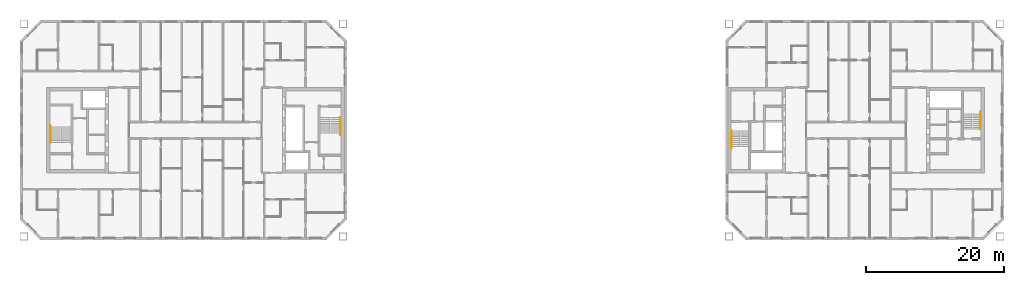
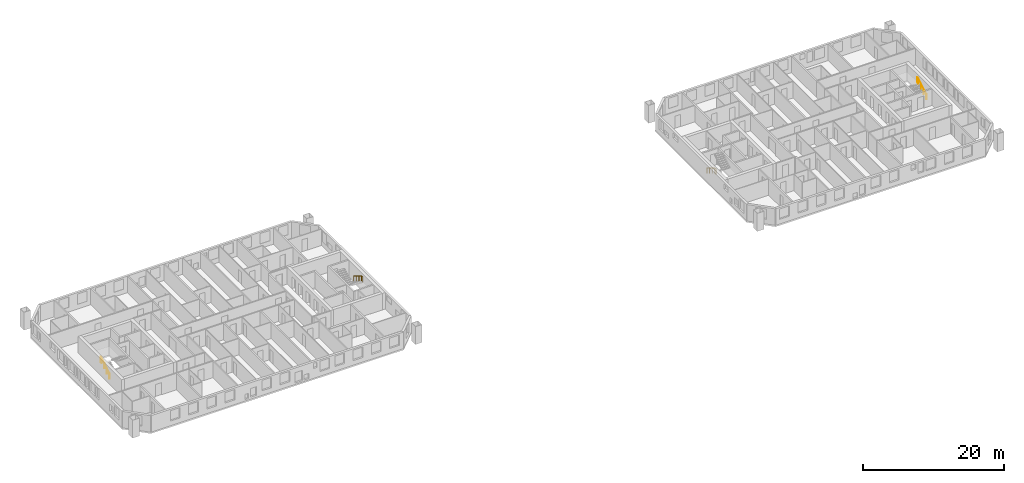
# One storey, part 15 of 15: 4 railings.
"""IFC4 building model written with IfcOpenShell, lengths in metres."""

from ifc_helpers import new_model, si_unit, direction, frame, origin, origin_2d, place, context, subcontext, project, spatial, circle, extrude, material, type_object, element, save


model = new_model("IFC4")

# Units and contexts
model_context = context("Model", 3, precision=1e-05, world=origin(), true_north=direction((0.0, 1.0)))
body_context = subcontext(model_context, "Body", "Model", "MODEL_VIEW")
ifc_project = project(units=[si_unit("LENGTHUNIT", "METRE"), si_unit("AREAUNIT", "SQUARE_METRE"), si_unit("VOLUMEUNIT", "CUBIC_METRE"), si_unit("PLANEANGLEUNIT", "RADIAN"), si_unit("MASSUNIT", "GRAM", prefix="KILO")], contexts=[model_context])

# Site, building, storey
site_placement = place(None, origin())
site = spatial("IfcSite", under=ifc_project, at=site_placement, CompositionType="ELEMENT")
building_placement = place(site_placement, origin())
building = spatial("IfcBuilding", under=site, at=building_placement, Name="Tuart Gate Housing", CompositionType="ELEMENT")
storey_placement = place(building_placement, frame((0.0, 0.0, 160.89990234375)))
storey = spatial("IfcBuildingStorey", under=building, at=storey_placement, Name="L45", CompositionType="ELEMENT", Elevation=160.89990234375)

# Railings
ifc_material = material(Name="Stainless steel", Category="steel")
railing_type = type_object("IfcRailingType", Name="Stair handrail 900", PredefinedType="HANDRAIL", material=ifc_material)
railing_1_placement = place(storey_placement, frame((75.080078125, 71.824951171875, 0.17236328125)))
element("IfcRailing", 1, at=railing_1_placement, inside=storey, type_object=railing_type, Name="Stair handrail SA1.1", PredefinedType="HANDRAIL", context=body_context, shape_type="SweptSolid", body=[
    extrude(circle(Radius=0.02392578125, at=origin_2d()), frame((0.0, 0.0, 0.8759765625), z_axis=(0.0, -0.85178898068, 0.523885037382), x_axis=(1.0, 0.0, 0.0)), (0.0, 0.0, 1.0), 2.629638671875),
    extrude(circle(Radius=0.02392578125, at=origin_2d()), frame((0.0, -2.239990234375, 2.25341796875), z_axis=(0.0, -1.0, 0.0), x_axis=(1.0, 0.0, 0.0)), (0.0, 0.0, 1.0), 0.300048828125),
    extrude(circle(Radius=0.02099609375, at=origin_2d()), origin(), (0.0, 0.0, 1.0), 0.851806640625),
    extrude(circle(Radius=0.02099609375, at=origin_2d()), frame((0.0, -0.74658203125, 0.459228515625)), (0.0, 0.0, 1.0), 0.851806640625),
    extrude(circle(Radius=0.02099609375, at=origin_2d()), frame((0.0, -1.493408203125, 0.91845703125)), (0.0, 0.0, 1.0), 0.851806640625),
    extrude(circle(Radius=0.02099609375, at=origin_2d()), frame((0.0, -2.239990234375, 1.377685546875)), (0.0, 0.0, 1.0), 0.851806640625),
    extrude(circle(Radius=0.02099609375, at=origin_2d()), frame((0.0, -2.5400390625, 1.377685546875)), (0.0, 0.0, 1.0), 0.851806640625),
])
railing_2_placement = place(storey_placement, frame((32.919921875, 68.175048828125, 0.17236328125)))
element("IfcRailing", 2, at=railing_2_placement, inside=storey, type_object=railing_type, Name="Stair handrail SA2.1", PredefinedType="HANDRAIL", context=body_context, shape_type="SweptSolid", body=[
    extrude(circle(Radius=0.02392578125, at=origin_2d()), frame((0.0, 0.0, 0.8759765625), z_axis=(0.0, 0.85178898068, 0.523885037382), x_axis=(-1.0, 0.0, 0.0)), (0.0, 0.0, 1.0), 2.629638671875),
    extrude(circle(Radius=0.02392578125, at=origin_2d()), frame((0.0, 2.239990234375, 2.25341796875), z_axis=(0.0, 1.0, 0.0), x_axis=(-1.0, 0.0, 0.0)), (0.0, 0.0, 1.0), 0.300048828125),
    extrude(circle(Radius=0.02099609375, at=origin_2d()), origin(), (0.0, 0.0, 1.0), 0.851806640625),
    extrude(circle(Radius=0.02099609375, at=origin_2d()), frame((0.0, 0.74658203125, 0.459228515625)), (0.0, 0.0, 1.0), 0.851806640625),
    extrude(circle(Radius=0.02099609375, at=origin_2d()), frame((0.0, 1.493408203125, 0.91845703125)), (0.0, 0.0, 1.0), 0.851806640625),
    extrude(circle(Radius=0.02099609375, at=origin_2d()), frame((0.0, 2.239990234375, 1.377685546875)), (0.0, 0.0, 1.0), 0.851806640625),
    extrude(circle(Radius=0.02099609375, at=origin_2d()), frame((0.0, 2.5400390625, 1.377685546875)), (0.0, 0.0, 1.0), 0.851806640625),
])
railing_3_placement = place(storey_placement, frame((131.919921875, 69.875, 0.17236328125)))
element("IfcRailing", 3, at=railing_3_placement, inside=storey, type_object=railing_type, Name="Stair handrail SB1.1", PredefinedType="HANDRAIL", context=body_context, shape_type="SweptSolid", body=[
    extrude(circle(Radius=0.02392578125, at=origin_2d()), frame((0.0, 0.0, 0.8759765625), z_axis=(0.0, -0.85178898068, 0.523885037382), x_axis=(1.0, 0.0, 0.0)), (0.0, 0.0, 1.0), 2.629638671875),
    extrude(circle(Radius=0.02392578125, at=origin_2d()), frame((0.0, -2.239990234375, 2.25341796875), z_axis=(0.0, -1.0, 0.0), x_axis=(1.0, 0.0, 0.0)), (0.0, 0.0, 1.0), 0.300048828125),
    extrude(circle(Radius=0.02099609375, at=origin_2d()), origin(), (0.0, 0.0, 1.0), 0.851806640625),
    extrude(circle(Radius=0.02099609375, at=origin_2d()), frame((0.0, -0.74658203125, 0.459228515625)), (0.0, 0.0, 1.0), 0.851806640625),
    extrude(circle(Radius=0.02099609375, at=origin_2d()), frame((0.0, -1.493408203125, 0.91845703125)), (0.0, 0.0, 1.0), 0.851806640625),
    extrude(circle(Radius=0.02099609375, at=origin_2d()), frame((0.0, -2.239990234375, 1.377685546875)), (0.0, 0.0, 1.0), 0.851806640625),
    extrude(circle(Radius=0.02099609375, at=origin_2d()), frame((0.0, -2.5400390625, 1.377685546875)), (0.0, 0.0, 1.0), 0.851806640625),
])
railing_4_placement = place(storey_placement, frame((168.080078125, 70.125, 0.17236328125)))
element("IfcRailing", 4, at=railing_4_placement, inside=storey, type_object=railing_type, Name="Stair handrail SB2.1", PredefinedType="HANDRAIL", context=body_context, shape_type="SweptSolid", body=[
    extrude(circle(Radius=0.02392578125, at=origin_2d()), frame((0.0, 0.0, 0.8759765625), z_axis=(0.0, 0.85178898068, 0.523885037382), x_axis=(-1.0, 0.0, 0.0)), (0.0, 0.0, 1.0), 2.629638671875),
    extrude(circle(Radius=0.02392578125, at=origin_2d()), frame((0.0, 2.239990234375, 2.25341796875), z_axis=(0.0, 1.0, 0.0), x_axis=(-1.0, 0.0, 0.0)), (0.0, 0.0, 1.0), 0.300048828125),
    extrude(circle(Radius=0.02099609375, at=origin_2d()), origin(), (0.0, 0.0, 1.0), 0.851806640625),
    extrude(circle(Radius=0.02099609375, at=origin_2d()), frame((0.0, 0.74658203125, 0.459228515625)), (0.0, 0.0, 1.0), 0.851806640625),
    extrude(circle(Radius=0.02099609375, at=origin_2d()), frame((0.0, 1.493408203125, 0.91845703125)), (0.0, 0.0, 1.0), 0.851806640625),
    extrude(circle(Radius=0.02099609375, at=origin_2d()), frame((0.0, 2.239990234375, 1.377685546875)), (0.0, 0.0, 1.0), 0.851806640625),
    extrude(circle(Radius=0.02099609375, at=origin_2d()), frame((0.0, 2.5400390625, 1.377685546875)), (0.0, 0.0, 1.0), 0.851806640625),
])

save(model, "model.ifc")
